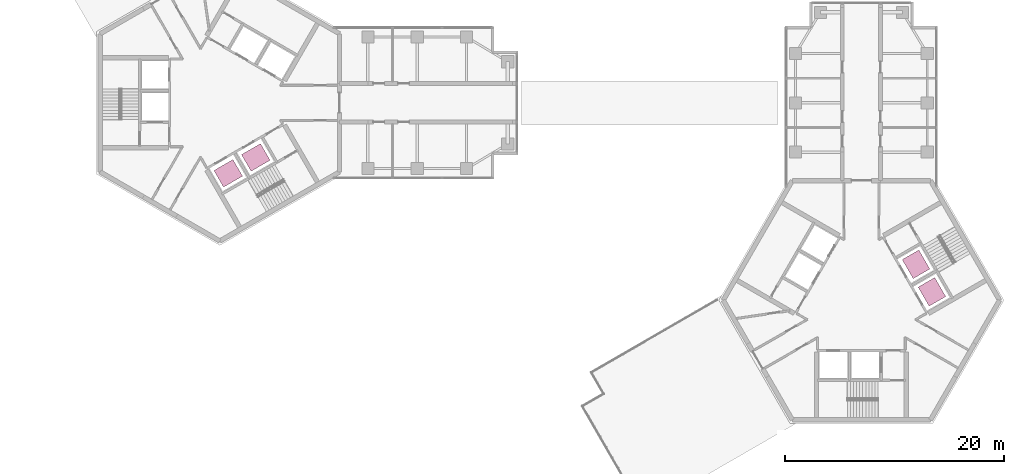
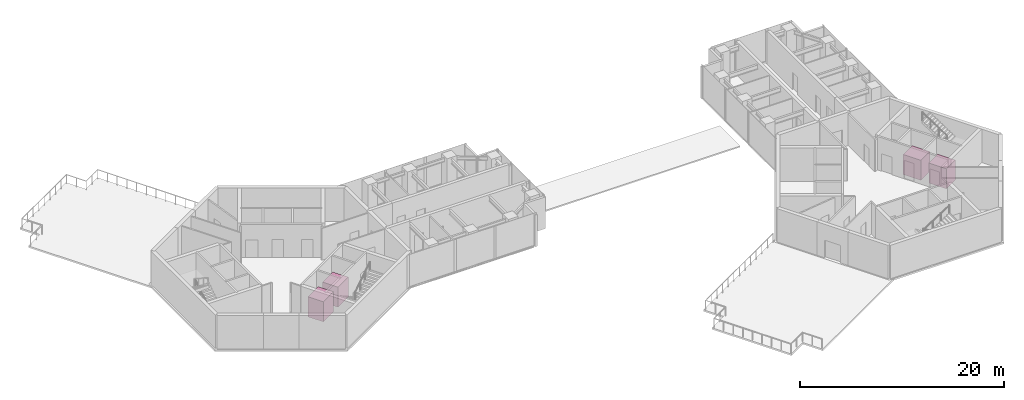
# One storey, part 11 of 11: 4 transport elements.
"""IFC4 building model written with IfcOpenShell, lengths in metres."""

from ifc_helpers import new_model, si_unit, direction, frame, origin, origin_2d, place, context, subcontext, project, spatial, rectangle, extrude, material, type_object, element, save


model = new_model("IFC4")

# Units and contexts
model_context = context("Model", 3, precision=1e-05, world=origin(), true_north=direction((0.0, 1.0)))
body_context = subcontext(model_context, "Body", "Model", "MODEL_VIEW")
ifc_project = project(units=[si_unit("LENGTHUNIT", "METRE"), si_unit("AREAUNIT", "SQUARE_METRE"), si_unit("VOLUMEUNIT", "CUBIC_METRE"), si_unit("PLANEANGLEUNIT", "RADIAN"), si_unit("MASSUNIT", "GRAM", prefix="KILO")], contexts=[model_context])

# Site, building, storey
site_placement = place(None, origin())
site = spatial("IfcSite", under=ifc_project, at=site_placement, CompositionType="ELEMENT")
building_placement = place(site_placement, origin())
building = spatial("IfcBuilding", under=site, at=building_placement, Name="Upepo Twin Towers", CompositionType="ELEMENT")
storey_placement = place(building_placement, frame((0.0, 0.0, 243.5)))
storey = spatial("IfcBuildingStorey", under=building, at=storey_placement, Name="L59", CompositionType="ELEMENT", Elevation=243.5)

# Transport elements
ifc_material = material(Name="Steel lift car", Category="steel")
transport_element_type = type_object("IfcTransportElementType", Name="Passenger lift 1600 kg", PredefinedType="ELEVATOR", material=ifc_material)
for number, where, z_axis, x_axis, name in (
    (1, (0.7666015625, -6.427734375, 0.0), (0.0, 0.0, 1.0), (0.866025403784, 0.5, 0.0), "T1 lift TL1"),
    (2, (3.278076171875, -4.977783203125, 0.0), (0.0, 0.0, 1.0), (0.866025403784, 0.5, 0.0), "T1 lift TL2"),
    (3, (64.927734375, -17.2333984375, 0.0), (0.0, 0.0, 1.0), (-0.5, 0.866025403784, 0.0), "T2 lift TL1"),
    (4, (63.477783203125, -14.721923828125, 0.0), (0.0, 0.0, 1.0), (-0.5, 0.866025403784, 0.0), "T2 lift TL2"),
):
    element("IfcTransportElement", number, at=place(storey_placement, frame(where, z_axis=z_axis, x_axis=x_axis)), inside=storey, type_object=transport_element_type, Name=name, PredefinedType="ELEVATOR", context=body_context, shape_type="SweptSolid", body=[
        extrude(rectangle(XDim=2.0, YDim=1.75, at=origin_2d()), origin(), (0.0, 0.0, 1.0), 2.39990234375),
    ])

save(model, "model.ifc")
